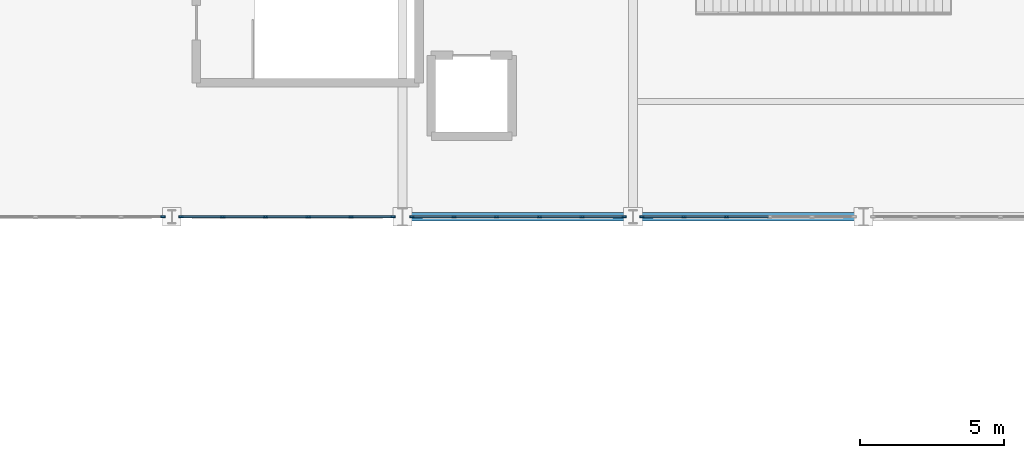
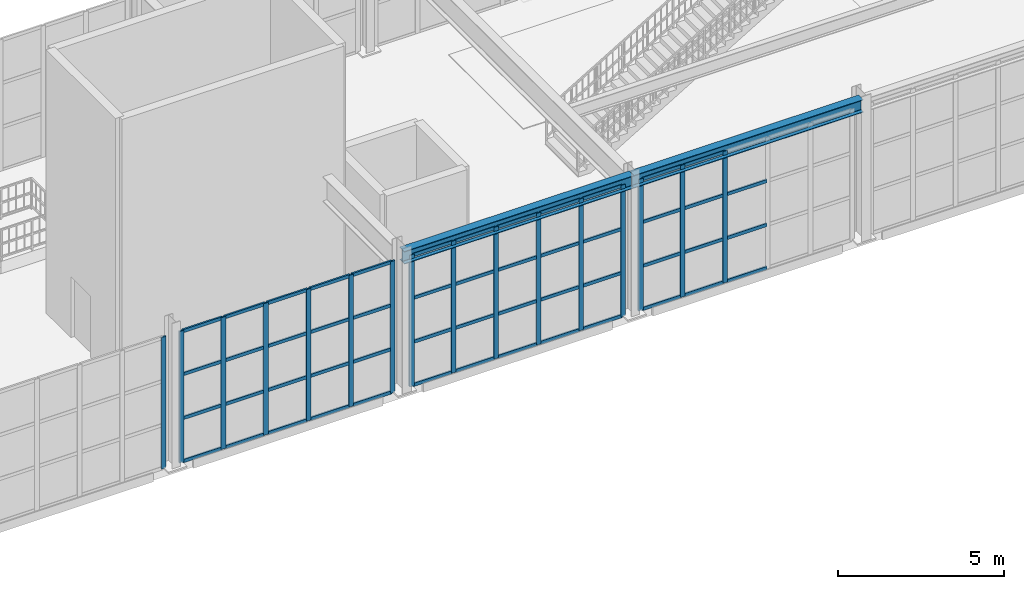
# One storey, part 23 of 82: 67 members, 2 beams, 4 elements without a shape of their own.
"""IFC4 building model written with IfcOpenShell, lengths in metres."""

from ifc_helpers import new_model, si_unit, direction, frame, origin, origin_2d, place, context, subcontext, project, spatial, rectangle, i_section, extrude, material, material_profile, profile_set, type_object, element, aggregate, save


model = new_model("IFC4")

# Units and contexts
model_context = context("Model", 3, precision=1e-05, world=origin(), true_north=direction((0.0, 1.0)))
body_context = subcontext(model_context, "Body", "Model", "MODEL_VIEW")
ifc_project = project(units=[si_unit("LENGTHUNIT", "METRE"), si_unit("AREAUNIT", "SQUARE_METRE"), si_unit("VOLUMEUNIT", "CUBIC_METRE"), si_unit("PLANEANGLEUNIT", "RADIAN"), si_unit("MASSUNIT", "GRAM", prefix="KILO")], contexts=[model_context])

# Site, building, storey
site_placement = place(None, origin())
site = spatial("IfcSite", under=ifc_project, at=site_placement, CompositionType="ELEMENT")
building_placement = place(site_placement, origin())
building = spatial("IfcBuilding", under=site, at=building_placement, Name="Serraluz Foothill Cableway Terminal", CompositionType="ELEMENT")
storey_placement = place(building_placement, frame((0.0, 0.0, 9.60009765625)))
storey = spatial("IfcBuildingStorey", under=building, at=storey_placement, Name="L02", CompositionType="ELEMENT", Elevation=9.60009765625)

# Curtain wall, member
ifc_material_1 = material(Name="Architectural bronze alloy C28000", Category="aluminium")
curtain_wall_type_1 = type_object("IfcCurtainWallType", Name="TYP-CW-520X440", PredefinedType="NOTDEFINED", material=ifc_material_1)
curtain_wall_1_placement = place(storey_placement, origin())
curtain_wall_1 = element("IfcCurtainWall", 1, at=curtain_wall_1_placement, inside=storey, type_object=curtain_wall_type_1, Name="Ribbed Glazed Curtain Wall CW-V1S-L02-56", PredefinedType="NOTDEFINED")
ifc_material_profile_1 = material_profile(ifc_material_1, rectangle(XDim=0.06005859375, YDim=0.159912109375, at=origin_2d()), Name="ALU MULLION 60x160")
ifc_profile_set_1 = profile_set([ifc_material_profile_1], Name="Architectural bronze alloy C28000")
member_type_1 = type_object("IfcMemberType", Name="TYP-CW-MUL-60X160", PredefinedType="MULLION", material=ifc_profile_set_1)
member_1_placement = place(storey_placement, frame((63.6884765625, 56.0, 0.0), z_axis=(0.0, 0.0, 1.0), x_axis=(0.0, -1.0, 0.0)))
member_1 = element("IfcMember", 2, at=member_1_placement, type_object=member_type_1, Name="CW-08 mullion 1", PredefinedType="MULLION", context=body_context, shape_type="SweptSolid", body=[
    extrude(rectangle(XDim=0.06005859375, YDim=0.159912109375, at=origin_2d()), origin(), (0.0, 0.0, 1.0), 4.849853515625),
])
aggregate(curtain_wall_1, [member_1])

# Curtain wall, members
curtain_wall_type_2 = type_object("IfcCurtainWallType", Name="TYP-CW-520X480", PredefinedType="NOTDEFINED", material=ifc_material_1)
curtain_wall_2_placement = place(storey_placement, origin())
curtain_wall_2 = element("IfcCurtainWall", 3, at=curtain_wall_2_placement, inside=storey, type_object=curtain_wall_type_2, Name="Ribbed Glazed Curtain Wall CW-V1S-L02-64", PredefinedType="NOTDEFINED")
member_2_placement = place(storey_placement, frame((71.66748046875, 56.0, 0.0), z_axis=(0.0, 0.0, 1.0), x_axis=(0.0, -1.0, 0.0)))
member_2 = element("IfcMember", 4, at=member_2_placement, type_object=member_type_1, Name="CW-09 mullion 1", PredefinedType="MULLION", context=body_context, shape_type="SweptSolid", body=[
    extrude(rectangle(XDim=0.06005859375, YDim=0.159912109375, at=origin_2d()), origin(), (0.0, 0.0, 1.0), 4.849853515625),
])
member_3_placement = place(storey_placement, frame((70.21435546875, 56.0, 0.0), z_axis=(0.0, 0.0, 1.0), x_axis=(0.0, -1.0, 0.0)))
member_3 = element("IfcMember", 5, at=member_3_placement, type_object=member_type_1, Name="CW-09 mullion 2", PredefinedType="MULLION", context=body_context, shape_type="SweptSolid", body=[
    extrude(rectangle(XDim=0.06005859375, YDim=0.159912109375, at=origin_2d()), origin(), (0.0, 0.0, 1.0), 4.849853515625),
])
member_4_placement = place(storey_placement, frame((68.731201171875, 56.0, 0.0), z_axis=(0.0, 0.0, 1.0), x_axis=(0.0, -1.0, 0.0)))
member_4 = element("IfcMember", 6, at=member_4_placement, type_object=member_type_1, Name="CW-09 mullion 3", PredefinedType="MULLION", context=body_context, shape_type="SweptSolid", body=[
    extrude(rectangle(XDim=0.06005859375, YDim=0.159912109375, at=origin_2d()), origin(), (0.0, 0.0, 1.0), 4.849853515625),
])
member_5_placement = place(storey_placement, frame((67.247802734375, 56.0, 0.0), z_axis=(0.0, 0.0, 1.0), x_axis=(0.0, -1.0, 0.0)))
member_5 = element("IfcMember", 7, at=member_5_placement, type_object=member_type_1, Name="CW-09 mullion 4", PredefinedType="MULLION", context=body_context, shape_type="SweptSolid", body=[
    extrude(rectangle(XDim=0.06005859375, YDim=0.159912109375, at=origin_2d()), origin(), (0.0, 0.0, 1.0), 4.849853515625),
])
member_6_placement = place(storey_placement, frame((65.7646484375, 56.0, 0.0), z_axis=(0.0, 0.0, 1.0), x_axis=(0.0, -1.0, 0.0)))
member_6 = element("IfcMember", 8, at=member_6_placement, type_object=member_type_1, Name="CW-09 mullion 5", PredefinedType="MULLION", context=body_context, shape_type="SweptSolid", body=[
    extrude(rectangle(XDim=0.06005859375, YDim=0.159912109375, at=origin_2d()), origin(), (0.0, 0.0, 1.0), 4.849853515625),
])
member_7_placement = place(storey_placement, frame((64.3115234375, 56.0, 0.0), z_axis=(0.0, 0.0, 1.0), x_axis=(0.0, -1.0, 0.0)))
member_7 = element("IfcMember", 9, at=member_7_placement, type_object=member_type_1, Name="CW-09 mullion 6", PredefinedType="MULLION", context=body_context, shape_type="SweptSolid", body=[
    extrude(rectangle(XDim=0.06005859375, YDim=0.159912109375, at=origin_2d()), origin(), (0.0, 0.0, 1.0), 4.849853515625),
])

curtain_wall_type_3 = type_object("IfcCurtainWallType", Name="TYP-CW-540X420", PredefinedType="NOTDEFINED", material=ifc_material_1)
curtain_wall_3_placement = place(storey_placement, origin())
curtain_wall_3 = element("IfcCurtainWall", 10, at=curtain_wall_3_placement, inside=storey, type_object=curtain_wall_type_3, Name="Ribbed Glazed Curtain Wall CW-V1S-L02-72", PredefinedType="NOTDEFINED")
member_8_placement = place(storey_placement, frame((79.6884765625, 56.0, 0.0), z_axis=(0.0, 0.0, 1.0), x_axis=(0.0, -1.0, 0.0)))
member_8 = element("IfcMember", 11, at=member_8_placement, type_object=member_type_1, Name="CW-10 mullion 1", PredefinedType="MULLION", context=body_context, shape_type="SweptSolid", body=[
    extrude(rectangle(XDim=0.06005859375, YDim=0.159912109375, at=origin_2d()), origin(), (0.0, 0.0, 1.0), 4.849853515625),
])
member_9_placement = place(storey_placement, frame((78.2353515625, 56.0, 0.0), z_axis=(0.0, 0.0, 1.0), x_axis=(0.0, -1.0, 0.0)))
member_9 = element("IfcMember", 12, at=member_9_placement, type_object=member_type_1, Name="CW-10 mullion 2", PredefinedType="MULLION", context=body_context, shape_type="SweptSolid", body=[
    extrude(rectangle(XDim=0.06005859375, YDim=0.159912109375, at=origin_2d()), origin(), (0.0, 0.0, 1.0), 4.849853515625),
])
member_10_placement = place(storey_placement, frame((76.752197265625, 56.0, 0.0), z_axis=(0.0, 0.0, 1.0), x_axis=(0.0, -1.0, 0.0)))
member_10 = element("IfcMember", 13, at=member_10_placement, type_object=member_type_1, Name="CW-10 mullion 3", PredefinedType="MULLION", context=body_context, shape_type="SweptSolid", body=[
    extrude(rectangle(XDim=0.06005859375, YDim=0.159912109375, at=origin_2d()), origin(), (0.0, 0.0, 1.0), 4.849853515625),
])
member_11_placement = place(storey_placement, frame((75.268798828125, 56.0, 0.0), z_axis=(0.0, 0.0, 1.0), x_axis=(0.0, -1.0, 0.0)))
member_11 = element("IfcMember", 14, at=member_11_placement, type_object=member_type_1, Name="CW-10 mullion 4", PredefinedType="MULLION", context=body_context, shape_type="SweptSolid", body=[
    extrude(rectangle(XDim=0.06005859375, YDim=0.159912109375, at=origin_2d()), origin(), (0.0, 0.0, 1.0), 4.849853515625),
])
member_12_placement = place(storey_placement, frame((73.78564453125, 56.0, 0.0), z_axis=(0.0, 0.0, 1.0), x_axis=(0.0, -1.0, 0.0)))
member_12 = element("IfcMember", 15, at=member_12_placement, type_object=member_type_1, Name="CW-10 mullion 5", PredefinedType="MULLION", context=body_context, shape_type="SweptSolid", body=[
    extrude(rectangle(XDim=0.06005859375, YDim=0.159912109375, at=origin_2d()), origin(), (0.0, 0.0, 1.0), 4.849853515625),
])
member_13_placement = place(storey_placement, frame((72.33251953125, 56.0, 0.0), z_axis=(0.0, 0.0, 1.0), x_axis=(0.0, -1.0, 0.0)))
member_13 = element("IfcMember", 16, at=member_13_placement, type_object=member_type_1, Name="CW-10 mullion 6", PredefinedType="MULLION", context=body_context, shape_type="SweptSolid", body=[
    extrude(rectangle(XDim=0.06005859375, YDim=0.159912109375, at=origin_2d()), origin(), (0.0, 0.0, 1.0), 4.849853515625),
])

curtain_wall_type_4 = type_object("IfcCurtainWallType", Name="TYP-CW-620X420", PredefinedType="NOTDEFINED", material=ifc_material_1)
curtain_wall_4_placement = place(storey_placement, origin())
curtain_wall_4 = element("IfcCurtainWall", 17, at=curtain_wall_4_placement, inside=storey, type_object=curtain_wall_type_4, Name="Ribbed Glazed Curtain Wall CW-V1S-L02-80", PredefinedType="NOTDEFINED")
member_14_placement = place(storey_placement, frame((83.247802734375, 56.0, 0.0), z_axis=(0.0, 0.0, 1.0), x_axis=(0.0, -1.0, 0.0)))
member_14 = element("IfcMember", 18, at=member_14_placement, type_object=member_type_1, Name="CW-11 mullion 4", PredefinedType="MULLION", context=body_context, shape_type="SweptSolid", body=[
    extrude(rectangle(XDim=0.06005859375, YDim=0.159912109375, at=origin_2d()), origin(), (0.0, 0.0, 1.0), 4.849853515625),
])
member_15_placement = place(storey_placement, frame((81.7646484375, 56.0, 0.0), z_axis=(0.0, 0.0, 1.0), x_axis=(0.0, -1.0, 0.0)))
member_15 = element("IfcMember", 19, at=member_15_placement, type_object=member_type_1, Name="CW-11 mullion 5", PredefinedType="MULLION", context=body_context, shape_type="SweptSolid", body=[
    extrude(rectangle(XDim=0.06005859375, YDim=0.159912109375, at=origin_2d()), origin(), (0.0, 0.0, 1.0), 4.849853515625),
])
member_16_placement = place(storey_placement, frame((80.3115234375, 56.0, 0.0), z_axis=(0.0, 0.0, 1.0), x_axis=(0.0, -1.0, 0.0)))
member_16 = element("IfcMember", 20, at=member_16_placement, type_object=member_type_1, Name="CW-11 mullion 6", PredefinedType="MULLION", context=body_context, shape_type="SweptSolid", body=[
    extrude(rectangle(XDim=0.06005859375, YDim=0.159912109375, at=origin_2d()), origin(), (0.0, 0.0, 1.0), 4.849853515625),
])

# Member
ifc_material_profile_2 = material_profile(ifc_material_1, rectangle(XDim=0.06005859375, YDim=0.1201171875, at=origin_2d()), Name="ALU TRANSOM 60x120")
ifc_profile_set_2 = profile_set([ifc_material_profile_2], Name="Architectural bronze alloy C28000")
member_type_2 = type_object("IfcMemberType", Name="TYP-CW-TRN-60X120", PredefinedType="USERDEFINED", material=ifc_profile_set_2)
member_17_placement = place(storey_placement, frame((71.637451171875, 56.0, 0.02978515625), z_axis=(-1.0, 0.0, 0.0), x_axis=(0.0, -1.0, 0.0)))
member_17 = element("IfcMember", 21, at=member_17_placement, type_object=member_type_2, Name="CW-09 transom 1.1", ObjectType="TRANSOM", PredefinedType="USERDEFINED", context=body_context, shape_type="SweptSolid", body=[
    extrude(rectangle(XDim=0.06005859375, YDim=0.1201171875, at=origin_2d()), origin(), (0.0, 0.0, 1.0), 1.39306640625),
])

member_18_placement = place(storey_placement, frame((71.637451171875, 56.0, 1.61669921875), z_axis=(-1.0, 0.0, 0.0), x_axis=(0.0, -1.0, 0.0)))
member_18 = element("IfcMember", 22, at=member_18_placement, type_object=member_type_2, Name="CW-09 transom 1.2", ObjectType="TRANSOM", PredefinedType="USERDEFINED", context=body_context, shape_type="SweptSolid", body=[
    extrude(rectangle(XDim=0.06005859375, YDim=0.1201171875, at=origin_2d()), origin(), (0.0, 0.0, 1.0), 1.39306640625),
])

member_19_placement = place(storey_placement, frame((71.637451171875, 56.0, 3.233154296875), z_axis=(-1.0, 0.0, 0.0), x_axis=(0.0, -1.0, 0.0)))
member_19 = element("IfcMember", 23, at=member_19_placement, type_object=member_type_2, Name="CW-09 transom 1.3", ObjectType="TRANSOM", PredefinedType="USERDEFINED", context=body_context, shape_type="SweptSolid", body=[
    extrude(rectangle(XDim=0.06005859375, YDim=0.1201171875, at=origin_2d()), origin(), (0.0, 0.0, 1.0), 1.39306640625),
])

member_20_placement = place(storey_placement, frame((71.637451171875, 56.0, 4.81982421875), z_axis=(-1.0, 0.0, 0.0), x_axis=(0.0, -1.0, 0.0)))
member_20 = element("IfcMember", 24, at=member_20_placement, type_object=member_type_2, Name="CW-09 transom 1.4", ObjectType="TRANSOM", PredefinedType="USERDEFINED", context=body_context, shape_type="SweptSolid", body=[
    extrude(rectangle(XDim=0.06005859375, YDim=0.1201171875, at=origin_2d()), origin(), (0.0, 0.0, 1.0), 1.39306640625),
])

member_21_placement = place(storey_placement, frame((70.184326171875, 56.0, 0.02978515625), z_axis=(-1.0, 0.0, 0.0), x_axis=(0.0, -1.0, 0.0)))
member_21 = element("IfcMember", 25, at=member_21_placement, type_object=member_type_2, Name="CW-09 transom 2.1", ObjectType="TRANSOM", PredefinedType="USERDEFINED", context=body_context, shape_type="SweptSolid", body=[
    extrude(rectangle(XDim=0.06005859375, YDim=0.1201171875, at=origin_2d()), origin(), (0.0, 0.0, 1.0), 1.42333984375),
])

member_22_placement = place(storey_placement, frame((70.184326171875, 56.0, 1.61669921875), z_axis=(-1.0, 0.0, 0.0), x_axis=(0.0, -1.0, 0.0)))
member_22 = element("IfcMember", 26, at=member_22_placement, type_object=member_type_2, Name="CW-09 transom 2.2", ObjectType="TRANSOM", PredefinedType="USERDEFINED", context=body_context, shape_type="SweptSolid", body=[
    extrude(rectangle(XDim=0.06005859375, YDim=0.1201171875, at=origin_2d()), origin(), (0.0, 0.0, 1.0), 1.42333984375),
])

member_23_placement = place(storey_placement, frame((70.184326171875, 56.0, 3.233154296875), z_axis=(-1.0, 0.0, 0.0), x_axis=(0.0, -1.0, 0.0)))
member_23 = element("IfcMember", 27, at=member_23_placement, type_object=member_type_2, Name="CW-09 transom 2.3", ObjectType="TRANSOM", PredefinedType="USERDEFINED", context=body_context, shape_type="SweptSolid", body=[
    extrude(rectangle(XDim=0.06005859375, YDim=0.1201171875, at=origin_2d()), origin(), (0.0, 0.0, 1.0), 1.42333984375),
])

member_24_placement = place(storey_placement, frame((70.184326171875, 56.0, 4.81982421875), z_axis=(-1.0, 0.0, 0.0), x_axis=(0.0, -1.0, 0.0)))
member_24 = element("IfcMember", 28, at=member_24_placement, type_object=member_type_2, Name="CW-09 transom 2.4", ObjectType="TRANSOM", PredefinedType="USERDEFINED", context=body_context, shape_type="SweptSolid", body=[
    extrude(rectangle(XDim=0.06005859375, YDim=0.1201171875, at=origin_2d()), origin(), (0.0, 0.0, 1.0), 1.42333984375),
])

member_25_placement = place(storey_placement, frame((68.701171875, 56.0, 0.02978515625), z_axis=(-1.0, 0.0, 0.0), x_axis=(0.0, -1.0, 0.0)))
member_25 = element("IfcMember", 29, at=member_25_placement, type_object=member_type_2, Name="CW-09 transom 3.1", ObjectType="TRANSOM", PredefinedType="USERDEFINED", context=body_context, shape_type="SweptSolid", body=[
    extrude(rectangle(XDim=0.06005859375, YDim=0.1201171875, at=origin_2d()), origin(), (0.0, 0.0, 1.0), 1.42333984375),
])

member_26_placement = place(storey_placement, frame((68.701171875, 56.0, 1.61669921875), z_axis=(-1.0, 0.0, 0.0), x_axis=(0.0, -1.0, 0.0)))
member_26 = element("IfcMember", 30, at=member_26_placement, type_object=member_type_2, Name="CW-09 transom 3.2", ObjectType="TRANSOM", PredefinedType="USERDEFINED", context=body_context, shape_type="SweptSolid", body=[
    extrude(rectangle(XDim=0.06005859375, YDim=0.1201171875, at=origin_2d()), origin(), (0.0, 0.0, 1.0), 1.42333984375),
])

member_27_placement = place(storey_placement, frame((68.701171875, 56.0, 3.233154296875), z_axis=(-1.0, 0.0, 0.0), x_axis=(0.0, -1.0, 0.0)))
member_27 = element("IfcMember", 31, at=member_27_placement, type_object=member_type_2, Name="CW-09 transom 3.3", ObjectType="TRANSOM", PredefinedType="USERDEFINED", context=body_context, shape_type="SweptSolid", body=[
    extrude(rectangle(XDim=0.06005859375, YDim=0.1201171875, at=origin_2d()), origin(), (0.0, 0.0, 1.0), 1.42333984375),
])

member_28_placement = place(storey_placement, frame((68.701171875, 56.0, 4.81982421875), z_axis=(-1.0, 0.0, 0.0), x_axis=(0.0, -1.0, 0.0)))
member_28 = element("IfcMember", 32, at=member_28_placement, type_object=member_type_2, Name="CW-09 transom 3.4", ObjectType="TRANSOM", PredefinedType="USERDEFINED", context=body_context, shape_type="SweptSolid", body=[
    extrude(rectangle(XDim=0.06005859375, YDim=0.1201171875, at=origin_2d()), origin(), (0.0, 0.0, 1.0), 1.42333984375),
])

member_29_placement = place(storey_placement, frame((67.218017578125, 56.0, 0.02978515625), z_axis=(-1.0, 0.0, 0.0), x_axis=(0.0, -1.0, 0.0)))
member_29 = element("IfcMember", 33, at=member_29_placement, type_object=member_type_2, Name="CW-09 transom 4.1", ObjectType="TRANSOM", PredefinedType="USERDEFINED", context=body_context, shape_type="SweptSolid", body=[
    extrude(rectangle(XDim=0.06005859375, YDim=0.1201171875, at=origin_2d()), origin(), (0.0, 0.0, 1.0), 1.42333984375),
])

member_30_placement = place(storey_placement, frame((67.218017578125, 56.0, 1.61669921875), z_axis=(-1.0, 0.0, 0.0), x_axis=(0.0, -1.0, 0.0)))
member_30 = element("IfcMember", 34, at=member_30_placement, type_object=member_type_2, Name="CW-09 transom 4.2", ObjectType="TRANSOM", PredefinedType="USERDEFINED", context=body_context, shape_type="SweptSolid", body=[
    extrude(rectangle(XDim=0.06005859375, YDim=0.1201171875, at=origin_2d()), origin(), (0.0, 0.0, 1.0), 1.42333984375),
])

member_31_placement = place(storey_placement, frame((67.218017578125, 56.0, 3.233154296875), z_axis=(-1.0, 0.0, 0.0), x_axis=(0.0, -1.0, 0.0)))
member_31 = element("IfcMember", 35, at=member_31_placement, type_object=member_type_2, Name="CW-09 transom 4.3", ObjectType="TRANSOM", PredefinedType="USERDEFINED", context=body_context, shape_type="SweptSolid", body=[
    extrude(rectangle(XDim=0.06005859375, YDim=0.1201171875, at=origin_2d()), origin(), (0.0, 0.0, 1.0), 1.42333984375),
])

member_32_placement = place(storey_placement, frame((67.218017578125, 56.0, 4.81982421875), z_axis=(-1.0, 0.0, 0.0), x_axis=(0.0, -1.0, 0.0)))
member_32 = element("IfcMember", 36, at=member_32_placement, type_object=member_type_2, Name="CW-09 transom 4.4", ObjectType="TRANSOM", PredefinedType="USERDEFINED", context=body_context, shape_type="SweptSolid", body=[
    extrude(rectangle(XDim=0.06005859375, YDim=0.1201171875, at=origin_2d()), origin(), (0.0, 0.0, 1.0), 1.42333984375),
])

member_33_placement = place(storey_placement, frame((65.734619140625, 56.0, 0.02978515625), z_axis=(-1.0, 0.0, 0.0), x_axis=(0.0, -1.0, 0.0)))
member_33 = element("IfcMember", 37, at=member_33_placement, type_object=member_type_2, Name="CW-09 transom 5.1", ObjectType="TRANSOM", PredefinedType="USERDEFINED", context=body_context, shape_type="SweptSolid", body=[
    extrude(rectangle(XDim=0.06005859375, YDim=0.1201171875, at=origin_2d()), origin(), (0.0, 0.0, 1.0), 1.39306640625),
])

member_34_placement = place(storey_placement, frame((65.734619140625, 56.0, 1.61669921875), z_axis=(-1.0, 0.0, 0.0), x_axis=(0.0, -1.0, 0.0)))
member_34 = element("IfcMember", 38, at=member_34_placement, type_object=member_type_2, Name="CW-09 transom 5.2", ObjectType="TRANSOM", PredefinedType="USERDEFINED", context=body_context, shape_type="SweptSolid", body=[
    extrude(rectangle(XDim=0.06005859375, YDim=0.1201171875, at=origin_2d()), origin(), (0.0, 0.0, 1.0), 1.39306640625),
])

member_35_placement = place(storey_placement, frame((65.734619140625, 56.0, 3.233154296875), z_axis=(-1.0, 0.0, 0.0), x_axis=(0.0, -1.0, 0.0)))
member_35 = element("IfcMember", 39, at=member_35_placement, type_object=member_type_2, Name="CW-09 transom 5.3", ObjectType="TRANSOM", PredefinedType="USERDEFINED", context=body_context, shape_type="SweptSolid", body=[
    extrude(rectangle(XDim=0.06005859375, YDim=0.1201171875, at=origin_2d()), origin(), (0.0, 0.0, 1.0), 1.39306640625),
])

member_36_placement = place(storey_placement, frame((65.734619140625, 56.0, 4.81982421875), z_axis=(-1.0, 0.0, 0.0), x_axis=(0.0, -1.0, 0.0)))
member_36 = element("IfcMember", 40, at=member_36_placement, type_object=member_type_2, Name="CW-09 transom 5.4", ObjectType="TRANSOM", PredefinedType="USERDEFINED", context=body_context, shape_type="SweptSolid", body=[
    extrude(rectangle(XDim=0.06005859375, YDim=0.1201171875, at=origin_2d()), origin(), (0.0, 0.0, 1.0), 1.39306640625),
])

aggregate(curtain_wall_2, [member_2, member_3, member_4, member_5, member_6, member_7, member_17, member_18, member_19, member_20, member_21, member_22, member_23, member_24, member_25, member_26, member_27, member_28, member_29, member_30, member_31, member_32, member_33, member_34, member_35, member_36])

member_37_placement = place(storey_placement, frame((79.658447265625, 56.0, 0.02978515625), z_axis=(-1.0, 0.0, 0.0), x_axis=(0.0, -1.0, 0.0)))
member_37 = element("IfcMember", 41, at=member_37_placement, type_object=member_type_2, Name="CW-10 transom 1.1", ObjectType="TRANSOM", PredefinedType="USERDEFINED", context=body_context, shape_type="SweptSolid", body=[
    extrude(rectangle(XDim=0.06005859375, YDim=0.1201171875, at=origin_2d()), origin(), (0.0, 0.0, 1.0), 1.39306640625),
])

member_38_placement = place(storey_placement, frame((79.658447265625, 56.0, 1.61669921875), z_axis=(-1.0, 0.0, 0.0), x_axis=(0.0, -1.0, 0.0)))
member_38 = element("IfcMember", 42, at=member_38_placement, type_object=member_type_2, Name="CW-10 transom 1.2", ObjectType="TRANSOM", PredefinedType="USERDEFINED", context=body_context, shape_type="SweptSolid", body=[
    extrude(rectangle(XDim=0.06005859375, YDim=0.1201171875, at=origin_2d()), origin(), (0.0, 0.0, 1.0), 1.39306640625),
])

member_39_placement = place(storey_placement, frame((79.658447265625, 56.0, 3.233154296875), z_axis=(-1.0, 0.0, 0.0), x_axis=(0.0, -1.0, 0.0)))
member_39 = element("IfcMember", 43, at=member_39_placement, type_object=member_type_2, Name="CW-10 transom 1.3", ObjectType="TRANSOM", PredefinedType="USERDEFINED", context=body_context, shape_type="SweptSolid", body=[
    extrude(rectangle(XDim=0.06005859375, YDim=0.1201171875, at=origin_2d()), origin(), (0.0, 0.0, 1.0), 1.39306640625),
])

member_40_placement = place(storey_placement, frame((79.658447265625, 56.0, 4.81982421875), z_axis=(-1.0, 0.0, 0.0), x_axis=(0.0, -1.0, 0.0)))
member_40 = element("IfcMember", 44, at=member_40_placement, type_object=member_type_2, Name="CW-10 transom 1.4", ObjectType="TRANSOM", PredefinedType="USERDEFINED", context=body_context, shape_type="SweptSolid", body=[
    extrude(rectangle(XDim=0.06005859375, YDim=0.1201171875, at=origin_2d()), origin(), (0.0, 0.0, 1.0), 1.39306640625),
])

member_41_placement = place(storey_placement, frame((78.205322265625, 56.0, 0.02978515625), z_axis=(-1.0, 0.0, 0.0), x_axis=(0.0, -1.0, 0.0)))
member_41 = element("IfcMember", 45, at=member_41_placement, type_object=member_type_2, Name="CW-10 transom 2.1", ObjectType="TRANSOM", PredefinedType="USERDEFINED", context=body_context, shape_type="SweptSolid", body=[
    extrude(rectangle(XDim=0.06005859375, YDim=0.1201171875, at=origin_2d()), origin(), (0.0, 0.0, 1.0), 1.42333984375),
])

member_42_placement = place(storey_placement, frame((78.205322265625, 56.0, 1.61669921875), z_axis=(-1.0, 0.0, 0.0), x_axis=(0.0, -1.0, 0.0)))
member_42 = element("IfcMember", 46, at=member_42_placement, type_object=member_type_2, Name="CW-10 transom 2.2", ObjectType="TRANSOM", PredefinedType="USERDEFINED", context=body_context, shape_type="SweptSolid", body=[
    extrude(rectangle(XDim=0.06005859375, YDim=0.1201171875, at=origin_2d()), origin(), (0.0, 0.0, 1.0), 1.42333984375),
])

member_43_placement = place(storey_placement, frame((78.205322265625, 56.0, 3.233154296875), z_axis=(-1.0, 0.0, 0.0), x_axis=(0.0, -1.0, 0.0)))
member_43 = element("IfcMember", 47, at=member_43_placement, type_object=member_type_2, Name="CW-10 transom 2.3", ObjectType="TRANSOM", PredefinedType="USERDEFINED", context=body_context, shape_type="SweptSolid", body=[
    extrude(rectangle(XDim=0.06005859375, YDim=0.1201171875, at=origin_2d()), origin(), (0.0, 0.0, 1.0), 1.42333984375),
])

member_44_placement = place(storey_placement, frame((78.205322265625, 56.0, 4.81982421875), z_axis=(-1.0, 0.0, 0.0), x_axis=(0.0, -1.0, 0.0)))
member_44 = element("IfcMember", 48, at=member_44_placement, type_object=member_type_2, Name="CW-10 transom 2.4", ObjectType="TRANSOM", PredefinedType="USERDEFINED", context=body_context, shape_type="SweptSolid", body=[
    extrude(rectangle(XDim=0.06005859375, YDim=0.1201171875, at=origin_2d()), origin(), (0.0, 0.0, 1.0), 1.42333984375),
])

member_45_placement = place(storey_placement, frame((76.72216796875, 56.0, 0.02978515625), z_axis=(-1.0, 0.0, 0.0), x_axis=(0.0, -1.0, 0.0)))
member_45 = element("IfcMember", 49, at=member_45_placement, type_object=member_type_2, Name="CW-10 transom 3.1", ObjectType="TRANSOM", PredefinedType="USERDEFINED", context=body_context, shape_type="SweptSolid", body=[
    extrude(rectangle(XDim=0.06005859375, YDim=0.1201171875, at=origin_2d()), origin(), (0.0, 0.0, 1.0), 1.42333984375),
])

member_46_placement = place(storey_placement, frame((76.72216796875, 56.0, 1.61669921875), z_axis=(-1.0, 0.0, 0.0), x_axis=(0.0, -1.0, 0.0)))
member_46 = element("IfcMember", 50, at=member_46_placement, type_object=member_type_2, Name="CW-10 transom 3.2", ObjectType="TRANSOM", PredefinedType="USERDEFINED", context=body_context, shape_type="SweptSolid", body=[
    extrude(rectangle(XDim=0.06005859375, YDim=0.1201171875, at=origin_2d()), origin(), (0.0, 0.0, 1.0), 1.42333984375),
])

member_47_placement = place(storey_placement, frame((76.72216796875, 56.0, 3.233154296875), z_axis=(-1.0, 0.0, 0.0), x_axis=(0.0, -1.0, 0.0)))
member_47 = element("IfcMember", 51, at=member_47_placement, type_object=member_type_2, Name="CW-10 transom 3.3", ObjectType="TRANSOM", PredefinedType="USERDEFINED", context=body_context, shape_type="SweptSolid", body=[
    extrude(rectangle(XDim=0.06005859375, YDim=0.1201171875, at=origin_2d()), origin(), (0.0, 0.0, 1.0), 1.42333984375),
])

member_48_placement = place(storey_placement, frame((76.72216796875, 56.0, 4.81982421875), z_axis=(-1.0, 0.0, 0.0), x_axis=(0.0, -1.0, 0.0)))
member_48 = element("IfcMember", 52, at=member_48_placement, type_object=member_type_2, Name="CW-10 transom 3.4", ObjectType="TRANSOM", PredefinedType="USERDEFINED", context=body_context, shape_type="SweptSolid", body=[
    extrude(rectangle(XDim=0.06005859375, YDim=0.1201171875, at=origin_2d()), origin(), (0.0, 0.0, 1.0), 1.42333984375),
])

member_49_placement = place(storey_placement, frame((75.239013671875, 56.0, 0.02978515625), z_axis=(-1.0, 0.0, 0.0), x_axis=(0.0, -1.0, 0.0)))
member_49 = element("IfcMember", 53, at=member_49_placement, type_object=member_type_2, Name="CW-10 transom 4.1", ObjectType="TRANSOM", PredefinedType="USERDEFINED", context=body_context, shape_type="SweptSolid", body=[
    extrude(rectangle(XDim=0.06005859375, YDim=0.1201171875, at=origin_2d()), origin(), (0.0, 0.0, 1.0), 1.42333984375),
])

member_50_placement = place(storey_placement, frame((75.239013671875, 56.0, 1.61669921875), z_axis=(-1.0, 0.0, 0.0), x_axis=(0.0, -1.0, 0.0)))
member_50 = element("IfcMember", 54, at=member_50_placement, type_object=member_type_2, Name="CW-10 transom 4.2", ObjectType="TRANSOM", PredefinedType="USERDEFINED", context=body_context, shape_type="SweptSolid", body=[
    extrude(rectangle(XDim=0.06005859375, YDim=0.1201171875, at=origin_2d()), origin(), (0.0, 0.0, 1.0), 1.42333984375),
])

member_51_placement = place(storey_placement, frame((75.239013671875, 56.0, 3.233154296875), z_axis=(-1.0, 0.0, 0.0), x_axis=(0.0, -1.0, 0.0)))
member_51 = element("IfcMember", 55, at=member_51_placement, type_object=member_type_2, Name="CW-10 transom 4.3", ObjectType="TRANSOM", PredefinedType="USERDEFINED", context=body_context, shape_type="SweptSolid", body=[
    extrude(rectangle(XDim=0.06005859375, YDim=0.1201171875, at=origin_2d()), origin(), (0.0, 0.0, 1.0), 1.42333984375),
])

member_52_placement = place(storey_placement, frame((75.239013671875, 56.0, 4.81982421875), z_axis=(-1.0, 0.0, 0.0), x_axis=(0.0, -1.0, 0.0)))
member_52 = element("IfcMember", 56, at=member_52_placement, type_object=member_type_2, Name="CW-10 transom 4.4", ObjectType="TRANSOM", PredefinedType="USERDEFINED", context=body_context, shape_type="SweptSolid", body=[
    extrude(rectangle(XDim=0.06005859375, YDim=0.1201171875, at=origin_2d()), origin(), (0.0, 0.0, 1.0), 1.42333984375),
])

member_53_placement = place(storey_placement, frame((73.755615234375, 56.0, 0.02978515625), z_axis=(-1.0, 0.0, 0.0), x_axis=(0.0, -1.0, 0.0)))
member_53 = element("IfcMember", 57, at=member_53_placement, type_object=member_type_2, Name="CW-10 transom 5.1", ObjectType="TRANSOM", PredefinedType="USERDEFINED", context=body_context, shape_type="SweptSolid", body=[
    extrude(rectangle(XDim=0.06005859375, YDim=0.1201171875, at=origin_2d()), origin(), (0.0, 0.0, 1.0), 1.39306640625),
])

member_54_placement = place(storey_placement, frame((73.755615234375, 56.0, 1.61669921875), z_axis=(-1.0, 0.0, 0.0), x_axis=(0.0, -1.0, 0.0)))
member_54 = element("IfcMember", 58, at=member_54_placement, type_object=member_type_2, Name="CW-10 transom 5.2", ObjectType="TRANSOM", PredefinedType="USERDEFINED", context=body_context, shape_type="SweptSolid", body=[
    extrude(rectangle(XDim=0.06005859375, YDim=0.1201171875, at=origin_2d()), origin(), (0.0, 0.0, 1.0), 1.39306640625),
])

member_55_placement = place(storey_placement, frame((73.755615234375, 56.0, 3.233154296875), z_axis=(-1.0, 0.0, 0.0), x_axis=(0.0, -1.0, 0.0)))
member_55 = element("IfcMember", 59, at=member_55_placement, type_object=member_type_2, Name="CW-10 transom 5.3", ObjectType="TRANSOM", PredefinedType="USERDEFINED", context=body_context, shape_type="SweptSolid", body=[
    extrude(rectangle(XDim=0.06005859375, YDim=0.1201171875, at=origin_2d()), origin(), (0.0, 0.0, 1.0), 1.39306640625),
])

member_56_placement = place(storey_placement, frame((73.755615234375, 56.0, 4.81982421875), z_axis=(-1.0, 0.0, 0.0), x_axis=(0.0, -1.0, 0.0)))
member_56 = element("IfcMember", 60, at=member_56_placement, type_object=member_type_2, Name="CW-10 transom 5.4", ObjectType="TRANSOM", PredefinedType="USERDEFINED", context=body_context, shape_type="SweptSolid", body=[
    extrude(rectangle(XDim=0.06005859375, YDim=0.1201171875, at=origin_2d()), origin(), (0.0, 0.0, 1.0), 1.39306640625),
])

aggregate(curtain_wall_3, [member_8, member_9, member_10, member_11, member_12, member_13, member_37, member_38, member_39, member_40, member_41, member_42, member_43, member_44, member_45, member_46, member_47, member_48, member_49, member_50, member_51, member_52, member_53, member_54, member_55, member_56])

member_57_placement = place(storey_placement, frame((84.701171875, 56.0, 0.02978515625), z_axis=(-1.0, 0.0, 0.0), x_axis=(0.0, -1.0, 0.0)))
member_57 = element("IfcMember", 61, at=member_57_placement, type_object=member_type_2, Name="CW-11 transom 3.1", ObjectType="TRANSOM", PredefinedType="USERDEFINED", context=body_context, shape_type="SweptSolid", body=[
    extrude(rectangle(XDim=0.06005859375, YDim=0.1201171875, at=origin_2d()), origin(), (0.0, 0.0, 1.0), 1.42333984375),
])

member_58_placement = place(storey_placement, frame((84.701171875, 56.0, 1.61669921875), z_axis=(-1.0, 0.0, 0.0), x_axis=(0.0, -1.0, 0.0)))
member_58 = element("IfcMember", 62, at=member_58_placement, type_object=member_type_2, Name="CW-11 transom 3.2", ObjectType="TRANSOM", PredefinedType="USERDEFINED", context=body_context, shape_type="SweptSolid", body=[
    extrude(rectangle(XDim=0.06005859375, YDim=0.1201171875, at=origin_2d()), origin(), (0.0, 0.0, 1.0), 1.42333984375),
])

member_59_placement = place(storey_placement, frame((84.701171875, 56.0, 3.233154296875), z_axis=(-1.0, 0.0, 0.0), x_axis=(0.0, -1.0, 0.0)))
member_59 = element("IfcMember", 63, at=member_59_placement, type_object=member_type_2, Name="CW-11 transom 3.3", ObjectType="TRANSOM", PredefinedType="USERDEFINED", context=body_context, shape_type="SweptSolid", body=[
    extrude(rectangle(XDim=0.06005859375, YDim=0.1201171875, at=origin_2d()), origin(), (0.0, 0.0, 1.0), 1.42333984375),
])

member_60_placement = place(storey_placement, frame((83.218017578125, 56.0, 0.02978515625), z_axis=(-1.0, 0.0, 0.0), x_axis=(0.0, -1.0, 0.0)))
member_60 = element("IfcMember", 64, at=member_60_placement, type_object=member_type_2, Name="CW-11 transom 4.1", ObjectType="TRANSOM", PredefinedType="USERDEFINED", context=body_context, shape_type="SweptSolid", body=[
    extrude(rectangle(XDim=0.06005859375, YDim=0.1201171875, at=origin_2d()), origin(), (0.0, 0.0, 1.0), 1.42333984375),
])

member_61_placement = place(storey_placement, frame((83.218017578125, 56.0, 1.61669921875), z_axis=(-1.0, 0.0, 0.0), x_axis=(0.0, -1.0, 0.0)))
member_61 = element("IfcMember", 65, at=member_61_placement, type_object=member_type_2, Name="CW-11 transom 4.2", ObjectType="TRANSOM", PredefinedType="USERDEFINED", context=body_context, shape_type="SweptSolid", body=[
    extrude(rectangle(XDim=0.06005859375, YDim=0.1201171875, at=origin_2d()), origin(), (0.0, 0.0, 1.0), 1.42333984375),
])

member_62_placement = place(storey_placement, frame((83.218017578125, 56.0, 3.233154296875), z_axis=(-1.0, 0.0, 0.0), x_axis=(0.0, -1.0, 0.0)))
member_62 = element("IfcMember", 66, at=member_62_placement, type_object=member_type_2, Name="CW-11 transom 4.3", ObjectType="TRANSOM", PredefinedType="USERDEFINED", context=body_context, shape_type="SweptSolid", body=[
    extrude(rectangle(XDim=0.06005859375, YDim=0.1201171875, at=origin_2d()), origin(), (0.0, 0.0, 1.0), 1.42333984375),
])

member_63_placement = place(storey_placement, frame((83.218017578125, 56.0, 4.81982421875), z_axis=(-1.0, 0.0, 0.0), x_axis=(0.0, -1.0, 0.0)))
member_63 = element("IfcMember", 67, at=member_63_placement, type_object=member_type_2, Name="CW-11 transom 4.4", ObjectType="TRANSOM", PredefinedType="USERDEFINED", context=body_context, shape_type="SweptSolid", body=[
    extrude(rectangle(XDim=0.06005859375, YDim=0.1201171875, at=origin_2d()), origin(), (0.0, 0.0, 1.0), 1.42333984375),
])

member_64_placement = place(storey_placement, frame((81.734619140625, 56.0, 0.02978515625), z_axis=(-1.0, 0.0, 0.0), x_axis=(0.0, -1.0, 0.0)))
member_64 = element("IfcMember", 68, at=member_64_placement, type_object=member_type_2, Name="CW-11 transom 5.1", ObjectType="TRANSOM", PredefinedType="USERDEFINED", context=body_context, shape_type="SweptSolid", body=[
    extrude(rectangle(XDim=0.06005859375, YDim=0.1201171875, at=origin_2d()), origin(), (0.0, 0.0, 1.0), 1.39306640625),
])

member_65_placement = place(storey_placement, frame((81.734619140625, 56.0, 1.61669921875), z_axis=(-1.0, 0.0, 0.0), x_axis=(0.0, -1.0, 0.0)))
member_65 = element("IfcMember", 69, at=member_65_placement, type_object=member_type_2, Name="CW-11 transom 5.2", ObjectType="TRANSOM", PredefinedType="USERDEFINED", context=body_context, shape_type="SweptSolid", body=[
    extrude(rectangle(XDim=0.06005859375, YDim=0.1201171875, at=origin_2d()), origin(), (0.0, 0.0, 1.0), 1.39306640625),
])

member_66_placement = place(storey_placement, frame((81.734619140625, 56.0, 3.233154296875), z_axis=(-1.0, 0.0, 0.0), x_axis=(0.0, -1.0, 0.0)))
member_66 = element("IfcMember", 70, at=member_66_placement, type_object=member_type_2, Name="CW-11 transom 5.3", ObjectType="TRANSOM", PredefinedType="USERDEFINED", context=body_context, shape_type="SweptSolid", body=[
    extrude(rectangle(XDim=0.06005859375, YDim=0.1201171875, at=origin_2d()), origin(), (0.0, 0.0, 1.0), 1.39306640625),
])

member_67_placement = place(storey_placement, frame((81.734619140625, 56.0, 4.81982421875), z_axis=(-1.0, 0.0, 0.0), x_axis=(0.0, -1.0, 0.0)))
member_67 = element("IfcMember", 71, at=member_67_placement, type_object=member_type_2, Name="CW-11 transom 5.4", ObjectType="TRANSOM", PredefinedType="USERDEFINED", context=body_context, shape_type="SweptSolid", body=[
    extrude(rectangle(XDim=0.06005859375, YDim=0.1201171875, at=origin_2d()), origin(), (0.0, 0.0, 1.0), 1.39306640625),
])

aggregate(curtain_wall_4, [member_14, member_15, member_16, member_57, member_58, member_59, member_60, member_61, member_62, member_63, member_64, member_65, member_66, member_67])

# Beams
ifc_material_2 = material(Name="Steel ASTM A992 Grade 50", Category="steel")
ifc_material_profile_3 = material_profile(ifc_material_2, i_section(OverallWidth=0.282958984375, OverallDepth=0.471923828125, WebThickness=0.013671875, FlangeThickness=0.022216796875, FilletRadius=0.014892578125, at=origin_2d()), Name="W18X97")
ifc_profile_set_3 = profile_set([ifc_material_profile_3], Name="Steel ASTM A992 Grade 50")
beam_type = type_object("IfcBeamType", Name="TYP-SP-W18X97", PredefinedType="SPANDREL", material=ifc_profile_set_3)
for number, where, z_axis, x_axis, name in (
    (72, (72.0048828125, 56.0, 4.913818359375), (1.0, 0.0, 0.0), (0.0, 1.0, 0.0), "Primary Girder BM-X-L02-0308"),
    (73, (80.0048828125, 56.0, 4.913818359375), (1.0, 0.0, 0.0), (0.0, 1.0, 0.0), "Primary Girder BM-X-L02-0309"),
):
    element("IfcBeam", number, at=place(storey_placement, frame(where, z_axis=z_axis, x_axis=x_axis)), inside=storey, type_object=beam_type, Name=name, PredefinedType="SPANDREL", context=body_context, shape_type="SweptSolid", body=[
        extrude(i_section(OverallWidth=0.282958984375, OverallDepth=0.471923828125, WebThickness=0.013671875, FlangeThickness=0.022216796875, FilletRadius=0.014892578125, at=origin_2d()), origin(), (0.0, 0.0, 1.0), 7.990234375),
    ])

save(model, "model.ifc")
